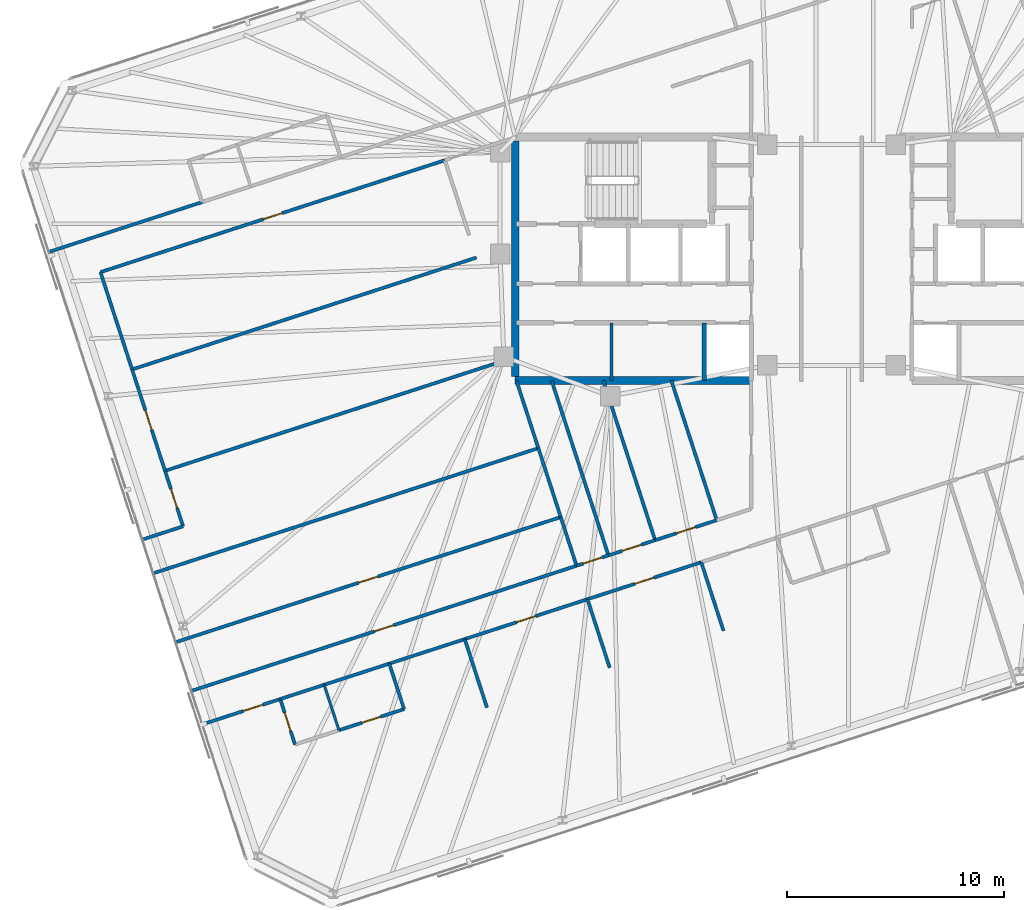
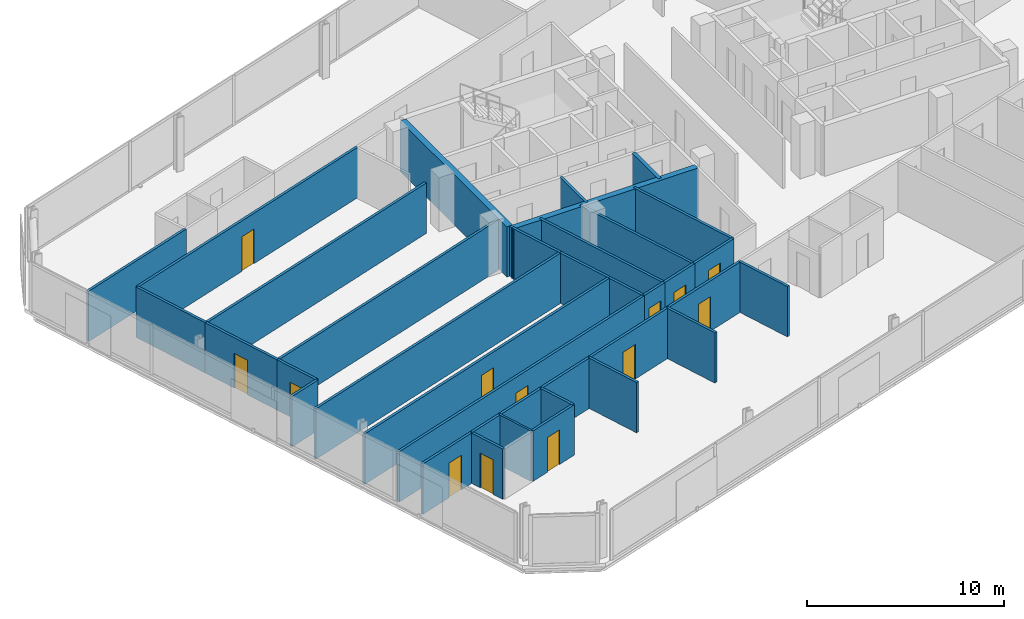
# One storey, part 13 of 19: 37 walls, 13 doors, 13 openings.
"""IFC4 building model written with IfcOpenShell, lengths in metres."""

from ifc_helpers import new_model, si_unit, direction, frame, frame_2d, origin, place, context, subcontext, project, spatial, rectangle, extrude, material, layer, layer_set, type_object, element, fill, save


model = new_model("IFC4")

# Units and contexts
model_context = context("Model", 3, precision=1e-05, world=origin(), true_north=direction((0.0, 1.0)))
body_context = subcontext(model_context, "Body", "Model", "MODEL_VIEW")
ifc_project = project(units=[si_unit("LENGTHUNIT", "METRE"), si_unit("AREAUNIT", "SQUARE_METRE"), si_unit("VOLUMEUNIT", "CUBIC_METRE"), si_unit("PLANEANGLEUNIT", "RADIAN"), si_unit("MASSUNIT", "GRAM", prefix="KILO")], contexts=[model_context])

# Site, building, storey
site_placement = place(None, origin())
site = spatial("IfcSite", under=ifc_project, at=site_placement, CompositionType="ELEMENT")
building_placement = place(site_placement, origin())
building = spatial("IfcBuilding", under=site, at=building_placement, Name="Menara Jurai Vektor", CompositionType="ELEMENT")
storey_placement = place(building_placement, frame((0.0, 0.0, 234.35009765625)))
storey = spatial("IfcBuildingStorey", under=building, at=storey_placement, Name="L62", CompositionType="ELEMENT", Elevation=234.35009765625)

# Walls
ifc_material_1 = material(Name="Gypsum Fireboard Partition", Category="gypsum")
ifc_layer_1 = layer(ifc_material_1, 0.14990234375)
ifc_layer_set_1 = layer_set([ifc_layer_1], Name="Gypsum Fireboard Partition")
wall_type_1 = type_object("IfcWallType", Name="INT-WALL-CORR-150", PredefinedType="PARTITIONING", material=ifc_layer_set_1)
wall_1_placement = place(storey_placement, frame((-10.1201171875, -5.60009765625, 0.0), z_axis=(0.0, 0.0, 1.0), x_axis=(0.0, 1.0, 0.0)))
element("IfcWall", 1, at=wall_1_placement, inside=storey, type_object=wall_type_1, Name="Interior Wall IW-150 L62", PredefinedType="PARTITIONING", context=body_context, shape_type="SweptSolid", body=[
    extrude(rectangle(XDim=2.650146484375, YDim=0.14990234375, at=frame_2d((1.3251953125, 0.0))), origin(), (0.0, 0.0, 1.0), 3.125),
])
wall_2_placement = place(storey_placement, frame((-36.01220703125, 0.314208984375, 0.0), z_axis=(0.0, 0.0, 1.0), x_axis=(0.951055595173, 0.309019829283, 0.0)))
element("IfcWall", 2, at=wall_2_placement, inside=storey, type_object=wall_type_1, Name="Interior Wall IW-150 L62", PredefinedType="PARTITIONING", context=body_context, shape_type="SweptSolid", body=[
    extrude(rectangle(XDim=7.4169921875, YDim=0.14990234375, at=frame_2d((3.70849609375, 0.0))), origin(), (0.0, 0.0, 1.0), 3.125),
])

# Wall, opening, door
wall_3_placement = place(storey_placement, frame((-28.949951171875, -21.42138671875, 0.0), z_axis=(0.0, 0.0, 1.0), x_axis=(0.951052151329, 0.309030428036, 0.0)))
wall_3 = element("IfcWall", 3, at=wall_3_placement, inside=storey, type_object=wall_type_1, Name="Interior Wall IW-150 L62", PredefinedType="PARTITIONING", context=body_context, shape_type="SweptSolid", body=[
    extrude(rectangle(XDim=3.77001953125, YDim=0.14990234375, at=frame_2d((1.885009765625, 0.0))), origin(), (0.0, 0.0, 1.0), 3.125),
])
opening_1_placement = place(wall_3_placement, frame((1.975341796875, 0.0, 0.0)))
opening_1 = element("IfcOpeningElement", 4, at=opening_1_placement, cuts=wall_3, Name="Opening D62-16", PredefinedType="OPENING", context=body_context, shape_type="SweptSolid", body=[
    extrude(rectangle(XDim=0.949951171875, YDim=2.14990234375, at=frame_2d((0.47509765625, 1.074951171875))), frame((0.0, 0.0849609375, 0.0), z_axis=(0.0, -1.0, 0.0), x_axis=(1.0, 0.0, 0.0)), (0.0, 0.0, 1.0), 0.169921875),
])
ifc_material_2 = material(Name="Solid Core Timber Fire Door", Category="wood")
door_type_1 = type_object("IfcDoorType", Name="DR-ENTRY-950", OperationType="NOTDEFINED", PredefinedType="DOOR", material=ifc_material_2)
door_1_placement = place(opening_1_placement, origin())
door_1 = element("IfcDoor", 5, at=door_1_placement, inside=storey, type_object=door_type_1, Name="Interior Door D62-16", OperationType="SINGLE_SWING_RIGHT", OverallHeight=2.14990234375, OverallWidth=0.949951171875, PredefinedType="DOOR", context=body_context, shape_type="SweptSolid", body=[
    extrude(rectangle(XDim=0.949951171875, YDim=2.14990234375, at=frame_2d((0.47509765625, 1.074951171875))), frame((0.0, 0.02490234375, 0.0), z_axis=(0.0, -1.0, 0.0), x_axis=(1.0, 0.0, 0.0)), (0.0, 0.0, 1.0), 0.050048828125),
])
fill(opening_1, door_1)

# Walls
wall_4_placement = place(storey_placement, frame((-20.3466796875, -18.6259765625, 0.0), z_axis=(0.0, 0.0, 1.0), x_axis=(0.951057168147, 0.309014988174, 0.0)))
element("IfcWall", 6, at=wall_4_placement, inside=storey, type_object=wall_type_1, Name="Interior Wall IW-150 L62", PredefinedType="PARTITIONING", context=body_context, shape_type="SweptSolid", body=[
    extrude(rectangle(XDim=3.650146484375, YDim=0.14990234375, at=frame_2d((1.8251953125, 0.0))), origin(), (0.0, 0.0, 1.0), 3.125),
])
wall_5_placement = place(storey_placement, frame((-25.364501953125, -20.25634765625, 0.0), z_axis=(0.0, 0.0, 1.0), x_axis=(0.951056007502, 0.309018560274, 0.0)))
element("IfcWall", 7, at=wall_5_placement, inside=storey, type_object=wall_type_1, Name="Interior Wall IW-150 L62", PredefinedType="PARTITIONING", context=body_context, shape_type="SweptSolid", body=[
    extrude(rectangle(XDim=2.1259765625, YDim=0.14990234375, at=frame_2d((1.06298828125, 0.0))), origin(), (0.0, 0.0, 1.0), 3.125),
])
wall_6_placement = place(storey_placement, frame((-23.342529296875, -19.599365234375, 0.0), z_axis=(0.0, 0.0, 1.0), x_axis=(0.951058557014, 0.309010713619, 0.0)))
element("IfcWall", 8, at=wall_6_placement, inside=storey, type_object=wall_type_1, Name="Interior Wall IW-150 L62", PredefinedType="PARTITIONING", context=body_context, shape_type="SweptSolid", body=[
    extrude(rectangle(XDim=3.14990234375, YDim=0.14990234375, at=frame_2d((1.574951171875, 0.0))), origin(), (0.0, 0.0, 1.0), 3.125),
])

# Wall, opening, door
wall_7_placement = place(storey_placement, frame((-16.875244140625, -17.498046875, 0.0), z_axis=(0.0, 0.0, 1.0), x_axis=(0.951057944303, 0.309012599384, 0.0)))
wall_7 = element("IfcWall", 9, at=wall_7_placement, inside=storey, type_object=wall_type_1, Name="Interior Wall IW-150 L62", PredefinedType="PARTITIONING", context=body_context, shape_type="SweptSolid", body=[
    extrude(rectangle(XDim=5.935791015625, YDim=0.14990234375, at=frame_2d((2.9677734375, 0.0))), origin(), (0.0, 0.0, 1.0), 3.125),
])
opening_2_placement = place(wall_7_placement, frame((2.508056640625, 0.0, 0.0)))
opening_2 = element("IfcOpeningElement", 10, at=opening_2_placement, cuts=wall_7, Name="Opening D62-25", PredefinedType="OPENING", context=body_context, shape_type="SweptSolid", body=[
    extrude(rectangle(XDim=0.919921875, YDim=2.14990234375, at=frame_2d((0.4599609375, 1.074951171875))), frame((0.0, 0.0849609375, 0.0), z_axis=(0.0, -1.0, 0.0), x_axis=(1.0, 0.0, 0.0)), (0.0, 0.0, 1.0), 0.169921875),
])
door_2_placement = place(opening_2_placement, origin())
door_2 = element("IfcDoor", 11, at=door_2_placement, inside=storey, type_object=door_type_1, Name="Interior Door D62-25", OperationType="SINGLE_SWING_LEFT", OverallHeight=2.14990234375, OverallWidth=0.919921875, PredefinedType="DOOR", context=body_context, shape_type="SweptSolid", body=[
    extrude(rectangle(XDim=0.919921875, YDim=2.14990234375, at=frame_2d((0.4599609375, 1.074951171875))), frame((0.0, 0.02490234375, 0.0), z_axis=(0.0, -1.0, 0.0), x_axis=(1.0, 0.0, 0.0)), (0.0, 0.0, 1.0), 0.050048828125),
])
fill(opening_2, door_2)

wall_8_placement = place(storey_placement, frame((-29.450439453125, -19.880615234375, 0.0), z_axis=(0.0, 0.0, 1.0), x_axis=(0.95105650271, 0.309017036186, 0.0)))
wall_8 = element("IfcWall", 12, at=wall_8_placement, inside=storey, type_object=wall_type_1, Name="Interior Wall IW-150 L62", PredefinedType="PARTITIONING", context=body_context, shape_type="SweptSolid", body=[
    extrude(rectangle(XDim=18.6318359375, YDim=0.14990234375, at=frame_2d((9.31591796875, 0.0))), origin(), (0.0, 0.0, 1.0), 3.125),
])
opening_3_placement = place(wall_8_placement, frame((8.85595703125, 0.0, 0.0)))
opening_3 = element("IfcOpeningElement", 13, at=opening_3_placement, cuts=wall_8, Name="Opening D62-26", PredefinedType="OPENING", context=body_context, shape_type="SweptSolid", body=[
    extrude(rectangle(XDim=0.919921875, YDim=2.14990234375, at=frame_2d((0.4599609375, 1.074951171875))), frame((0.0, 0.0849609375, 0.0), z_axis=(0.0, -1.0, 0.0), x_axis=(1.0, 0.0, 0.0)), (0.0, 0.0, 1.0), 0.169921875),
])
door_3_placement = place(opening_3_placement, origin())
door_3 = element("IfcDoor", 14, at=door_3_placement, inside=storey, type_object=door_type_1, Name="Interior Door D62-26", OperationType="SINGLE_SWING_RIGHT", OverallHeight=2.14990234375, OverallWidth=0.919921875, PredefinedType="DOOR", context=body_context, shape_type="SweptSolid", body=[
    extrude(rectangle(XDim=0.919921875, YDim=2.14990234375, at=frame_2d((0.4599609375, 1.074951171875))), frame((0.0, 0.02490234375, 0.0), z_axis=(0.0, -1.0, 0.0), x_axis=(1.0, 0.0, 0.0)), (0.0, 0.0, 1.0), 0.050048828125),
])
fill(opening_3, door_3)

# Wall
wall_9_placement = place(storey_placement, frame((-31.7119140625, -12.9208984375, 0.0), z_axis=(0.0, 0.0, 1.0), x_axis=(0.951054051148, 0.309024581215, 0.0)))
element("IfcWall", 15, at=wall_9_placement, inside=storey, type_object=wall_type_1, Name="Interior Wall IW-150 L62", PredefinedType="PARTITIONING", context=body_context, shape_type="SweptSolid", body=[
    extrude(rectangle(XDim=1.97509765625, YDim=0.14990234375, at=frame_2d((0.987548828125, 0.0))), origin(), (0.0, 0.0, 1.0), 3.125),
])

# Wall, opening, door
wall_10_placement = place(storey_placement, frame((-29.83349609375, -12.310546875, 0.0), z_axis=(0.0, 0.0, 1.0), x_axis=(-0.309044953986, 0.951047431213, 0.0)))
wall_10 = element("IfcWall", 16, at=wall_10_placement, inside=storey, type_object=wall_type_1, Name="Interior Wall IW-150 L62", PredefinedType="PARTITIONING", context=body_context, shape_type="SweptSolid", body=[
    extrude(rectangle(XDim=2.68505859375, YDim=0.14990234375, at=frame_2d((1.342529296875, 0.0))), origin(), (0.0, 0.0, 1.0), 3.125),
])
opening_4_placement = place(wall_10_placement, frame((0.882568359375, 0.0, 0.0)))
opening_4 = element("IfcOpeningElement", 17, at=opening_4_placement, cuts=wall_10, Name="Opening D62-28", PredefinedType="OPENING", context=body_context, shape_type="SweptSolid", body=[
    extrude(rectangle(XDim=0.919921875, YDim=2.14990234375, at=frame_2d((0.4599609375, 1.074951171875))), frame((0.0, 0.0849609375, 0.0), z_axis=(0.0, -1.0, 0.0), x_axis=(1.0, 0.0, 0.0)), (0.0, 0.0, 1.0), 0.169921875),
])
door_4_placement = place(opening_4_placement, origin())
door_4 = element("IfcDoor", 18, at=door_4_placement, inside=storey, type_object=door_type_1, Name="Interior Door D62-28", OperationType="SINGLE_SWING_RIGHT", OverallHeight=2.14990234375, OverallWidth=0.919921875, PredefinedType="DOOR", context=body_context, shape_type="SweptSolid", body=[
    extrude(rectangle(XDim=0.919921875, YDim=2.14990234375, at=frame_2d((0.4599609375, 1.074951171875))), frame((0.0, 0.02490234375, 0.0), z_axis=(0.0, -1.0, 0.0), x_axis=(1.0, 0.0, 0.0)), (0.0, 0.0, 1.0), 0.050048828125),
])
fill(opening_4, door_4)

wall_11_placement = place(storey_placement, frame((-30.663330078125, -9.7568359375, 0.0), z_axis=(0.0, 0.0, 1.0), x_axis=(-0.309019653166, 0.951055652397, 0.0)))
wall_11 = element("IfcWall", 19, at=wall_11_placement, inside=storey, type_object=wall_type_1, Name="Interior Wall IW-150 L62", PredefinedType="PARTITIONING", context=body_context, shape_type="SweptSolid", body=[
    extrude(rectangle(XDim=4.90380859375, YDim=0.14990234375, at=frame_2d((2.451904296875, 0.0))), origin(), (0.0, 0.0, 1.0), 3.125),
])
opening_5_placement = place(wall_11_placement, frame((1.991943359375, 0.0, 0.0)))
opening_5 = element("IfcOpeningElement", 20, at=opening_5_placement, cuts=wall_11, Name="Opening D62-29", PredefinedType="OPENING", context=body_context, shape_type="SweptSolid", body=[
    extrude(rectangle(XDim=0.919921875, YDim=2.14990234375, at=frame_2d((0.4599609375, 1.074951171875))), frame((0.0, 0.0849609375, 0.0), z_axis=(0.0, -1.0, 0.0), x_axis=(1.0, 0.0, 0.0)), (0.0, 0.0, 1.0), 0.169921875),
])
door_5_placement = place(opening_5_placement, origin())
door_5 = element("IfcDoor", 21, at=door_5_placement, inside=storey, type_object=door_type_1, Name="Interior Door D62-29", OperationType="SINGLE_SWING_LEFT", OverallHeight=2.14990234375, OverallWidth=0.919921875, PredefinedType="DOOR", context=body_context, shape_type="SweptSolid", body=[
    extrude(rectangle(XDim=0.919921875, YDim=2.14990234375, at=frame_2d((0.4599609375, 1.074951171875))), frame((0.0, 0.02490234375, 0.0), z_axis=(0.0, -1.0, 0.0), x_axis=(1.0, 0.0, 0.0)), (0.0, 0.0, 1.0), 0.050048828125),
])
fill(opening_5, door_5)

# Wall
wall_12_placement = place(storey_placement, frame((-32.1787109375, -5.093017578125, 0.0), z_axis=(0.0, 0.0, 1.0), x_axis=(-0.309014532869, 0.951057316083, 0.0)))
element("IfcWall", 22, at=wall_12_placement, inside=storey, type_object=wall_type_1, Name="Interior Wall IW-150 L62", PredefinedType="PARTITIONING", context=body_context, shape_type="SweptSolid", body=[
    extrude(rectangle(XDim=4.707275390625, YDim=0.14990234375, at=frame_2d((2.353515625, 0.0))), origin(), (0.0, 0.0, 1.0), 3.125),
])

# Wall, opening, door
wall_13_placement = place(storey_placement, frame((-33.63330078125, -0.6162109375, 0.0), z_axis=(0.0, 0.0, 1.0), x_axis=(0.951058192995, 0.309011833974, 0.0)))
wall_13 = element("IfcWall", 23, at=wall_13_placement, inside=storey, type_object=wall_type_1, Name="Interior Wall IW-150 L62", PredefinedType="PARTITIONING", context=body_context, shape_type="SweptSolid", body=[
    extrude(rectangle(XDim=16.656982421875, YDim=0.14990234375, at=frame_2d((8.32861328125, 0.0))), origin(), (0.0, 0.0, 1.0), 3.125),
])
opening_6_placement = place(wall_13_placement, frame((7.868408203125, 0.0, 0.0)))
opening_6 = element("IfcOpeningElement", 24, at=opening_6_placement, cuts=wall_13, Name="Opening D62-30", PredefinedType="OPENING", context=body_context, shape_type="SweptSolid", body=[
    extrude(rectangle(XDim=0.919921875, YDim=2.14990234375, at=frame_2d((0.4599609375, 1.074951171875))), frame((0.0, 0.0849609375, 0.0), z_axis=(0.0, -1.0, 0.0), x_axis=(1.0, 0.0, 0.0)), (0.0, 0.0, 1.0), 0.169921875),
])
door_6_placement = place(opening_6_placement, origin())
door_6 = element("IfcDoor", 25, at=door_6_placement, inside=storey, type_object=door_type_1, Name="Interior Door D62-30", OperationType="SINGLE_SWING_RIGHT", OverallHeight=2.14990234375, OverallWidth=0.919921875, PredefinedType="DOOR", context=body_context, shape_type="SweptSolid", body=[
    extrude(rectangle(XDim=0.919921875, YDim=2.14990234375, at=frame_2d((0.4599609375, 1.074951171875))), frame((0.0, 0.02490234375, 0.0), z_axis=(0.0, -1.0, 0.0), x_axis=(1.0, 0.0, 0.0)), (0.0, 0.0, 1.0), 0.050048828125),
])
fill(opening_6, door_6)

wall_14_placement = place(storey_placement, frame((-11.22998046875, -15.663818359375, 0.0), z_axis=(0.0, 0.0, 1.0), x_axis=(0.951055579382, 0.309019877882, 0.0)))
wall_14 = element("IfcWall", 26, at=wall_14_placement, inside=storey, type_object=wall_type_1, Name="Interior Wall IW-150 L62", PredefinedType="PARTITIONING", context=body_context, shape_type="SweptSolid", body=[
    extrude(rectangle(XDim=5.504150390625, YDim=0.14990234375, at=frame_2d((2.751953125, 0.0))), origin(), (0.0, 0.0, 1.0), 3.125),
])
opening_7_placement = place(wall_14_placement, frame((2.2919921875, 0.0, 0.0)))
opening_7 = element("IfcOpeningElement", 27, at=opening_7_placement, cuts=wall_14, Name="Opening D62-31", PredefinedType="OPENING", context=body_context, shape_type="SweptSolid", body=[
    extrude(rectangle(XDim=0.919921875, YDim=2.14990234375, at=frame_2d((0.4599609375, 1.074951171875))), frame((0.0, 0.0849609375, 0.0), z_axis=(0.0, -1.0, 0.0), x_axis=(1.0, 0.0, 0.0)), (0.0, 0.0, 1.0), 0.169921875),
])
door_7_placement = place(opening_7_placement, origin())
door_7 = element("IfcDoor", 28, at=door_7_placement, inside=storey, type_object=door_type_1, Name="Interior Door D62-31", OperationType="SINGLE_SWING_LEFT", OverallHeight=2.14990234375, OverallWidth=0.919921875, PredefinedType="DOOR", context=body_context, shape_type="SweptSolid", body=[
    extrude(rectangle(XDim=0.919921875, YDim=2.14990234375, at=frame_2d((0.4599609375, 1.074951171875))), frame((0.0, 0.02490234375, 0.0), z_axis=(0.0, -1.0, 0.0), x_axis=(1.0, 0.0, 0.0)), (0.0, 0.0, 1.0), 0.050048828125),
])
fill(opening_7, door_7)

wall_15_placement = place(storey_placement, frame((-11.73046875, -14.123046875, 0.0), z_axis=(0.0, 0.0, 1.0), x_axis=(0.951032904484, 0.309089654614, 0.0)))
wall_15 = element("IfcWall", 29, at=wall_15_placement, inside=storey, type_object=wall_type_1, Name="Interior Wall IW-150 L62", PredefinedType="PARTITIONING", context=body_context, shape_type="SweptSolid", body=[
    extrude(rectangle(XDim=1.541015625, YDim=0.14990234375, at=frame_2d((0.7705078125, 0.0))), origin(), (0.0, 0.0, 1.0), 3.125),
])
opening_8_placement = place(wall_15_placement, frame((0.310546875, 0.0, 0.0)))
opening_8 = element("IfcOpeningElement", 30, at=opening_8_placement, cuts=wall_15, Name="Opening D62-36", PredefinedType="OPENING", context=body_context, shape_type="SweptSolid", body=[
    extrude(rectangle(XDim=0.919921875, YDim=2.14990234375, at=frame_2d((0.4599609375, 1.074951171875))), frame((0.0, 0.0849609375, 0.0), z_axis=(0.0, -1.0, 0.0), x_axis=(1.0, 0.0, 0.0)), (0.0, 0.0, 1.0), 0.169921875),
])
door_8_placement = place(opening_8_placement, origin())
door_8 = element("IfcDoor", 31, at=door_8_placement, inside=storey, type_object=door_type_1, Name="Interior Door D62-36", OperationType="SINGLE_SWING_RIGHT", OverallHeight=2.14990234375, OverallWidth=0.919921875, PredefinedType="DOOR", context=body_context, shape_type="SweptSolid", body=[
    extrude(rectangle(XDim=0.919921875, YDim=2.14990234375, at=frame_2d((0.4599609375, 1.074951171875))), frame((0.0, 0.02490234375, 0.0), z_axis=(0.0, -1.0, 0.0), x_axis=(1.0, 0.0, 0.0)), (0.0, 0.0, 1.0), 0.050048828125),
])
fill(opening_8, door_8)

wall_16_placement = place(storey_placement, frame((-10.264892578125, -13.646728515625, 0.0), z_axis=(0.0, 0.0, 1.0), x_axis=(0.951065832698, 0.308988319964, 0.0)))
wall_16 = element("IfcWall", 32, at=wall_16_placement, inside=storey, type_object=wall_type_1, Name="Interior Wall IW-150 L62", PredefinedType="PARTITIONING", context=body_context, shape_type="SweptSolid", body=[
    extrude(rectangle(XDim=2.259033203125, YDim=0.14990234375, at=frame_2d((1.12939453125, 0.0))), origin(), (0.0, 0.0, 1.0), 3.125),
])
opening_9_placement = place(wall_16_placement, frame((0.66943359375, 0.0, 0.0)))
opening_9 = element("IfcOpeningElement", 33, at=opening_9_placement, cuts=wall_16, Name="Opening D62-37", PredefinedType="OPENING", context=body_context, shape_type="SweptSolid", body=[
    extrude(rectangle(XDim=0.919921875, YDim=2.14990234375, at=frame_2d((0.4599609375, 1.074951171875))), frame((0.0, 0.0849609375, 0.0), z_axis=(0.0, -1.0, 0.0), x_axis=(1.0, 0.0, 0.0)), (0.0, 0.0, 1.0), 0.169921875),
])
door_9_placement = place(opening_9_placement, origin())
door_9 = element("IfcDoor", 34, at=door_9_placement, inside=storey, type_object=door_type_1, Name="Interior Door D62-37", OperationType="SINGLE_SWING_LEFT", OverallHeight=2.14990234375, OverallWidth=0.919921875, PredefinedType="DOOR", context=body_context, shape_type="SweptSolid", body=[
    extrude(rectangle(XDim=0.919921875, YDim=2.14990234375, at=frame_2d((0.4599609375, 1.074951171875))), frame((0.0, 0.02490234375, 0.0), z_axis=(0.0, -1.0, 0.0), x_axis=(1.0, 0.0, 0.0)), (0.0, 0.0, 1.0), 0.050048828125),
])
fill(opening_9, door_9)

wall_17_placement = place(storey_placement, frame((-8.116455078125, -12.94873046875, 0.0), z_axis=(0.0, 0.0, 1.0), x_axis=(0.95107320803, 0.308965617775, 0.0)))
wall_17 = element("IfcWall", 35, at=wall_17_placement, inside=storey, type_object=wall_type_1, Name="Interior Wall IW-150 L62", PredefinedType="PARTITIONING", context=body_context, shape_type="SweptSolid", body=[
    extrude(rectangle(XDim=2.97900390625, YDim=0.14990234375, at=frame_2d((1.489501953125, 0.0))), origin(), (0.0, 0.0, 1.0), 3.125),
])
opening_10_placement = place(wall_17_placement, frame((1.029541015625, 0.0, 0.0)))
opening_10 = element("IfcOpeningElement", 36, at=opening_10_placement, cuts=wall_17, Name="Opening D62-38", PredefinedType="OPENING", context=body_context, shape_type="SweptSolid", body=[
    extrude(rectangle(XDim=0.919921875, YDim=2.14990234375, at=frame_2d((0.4599609375, 1.074951171875))), frame((0.0, 0.0849609375, 0.0), z_axis=(0.0, -1.0, 0.0), x_axis=(1.0, 0.0, 0.0)), (0.0, 0.0, 1.0), 0.169921875),
])
door_10_placement = place(opening_10_placement, origin())
door_10 = element("IfcDoor", 37, at=door_10_placement, inside=storey, type_object=door_type_1, Name="Interior Door D62-38", OperationType="SINGLE_SWING_RIGHT", OverallHeight=2.14990234375, OverallWidth=0.919921875, PredefinedType="DOOR", context=body_context, shape_type="SweptSolid", body=[
    extrude(rectangle(XDim=0.919921875, YDim=2.14990234375, at=frame_2d((0.4599609375, 1.074951171875))), frame((0.0, 0.02490234375, 0.0), z_axis=(0.0, -1.0, 0.0), x_axis=(1.0, 0.0, 0.0)), (0.0, 0.0, 1.0), 0.050048828125),
])
fill(opening_10, door_10)

wall_18_placement = place(storey_placement, frame((-24.6845703125, -22.3486328125, 0.0), z_axis=(0.0, 0.0, 1.0), x_axis=(-0.309060979314, 0.951042223598, 0.0)))
wall_18 = element("IfcWall", 38, at=wall_18_placement, inside=storey, type_object=wall_type_1, Name="Interior Wall IW-150 L62", PredefinedType="PARTITIONING", context=body_context, shape_type="SweptSolid", body=[
    extrude(rectangle(XDim=2.199951171875, YDim=0.14990234375, at=frame_2d((1.10009765625, 0.0))), origin(), (0.0, 0.0, 1.0), 3.125),
])
opening_11_placement = place(wall_18_placement, frame((0.659912109375, 0.0, 0.0)))
opening_11 = element("IfcOpeningElement", 39, at=opening_11_placement, cuts=wall_18, Name="Opening D62-17", PredefinedType="OPENING", context=body_context, shape_type="SweptSolid", body=[
    extrude(rectangle(XDim=0.8798828125, YDim=2.14990234375, at=frame_2d((0.43994140625, 1.074951171875))), frame((0.0, 0.0849609375, 0.0), z_axis=(0.0, -1.0, 0.0), x_axis=(1.0, 0.0, 0.0)), (0.0, 0.0, 1.0), 0.169921875),
])
ifc_material_3 = material(Name="Moisture-Resistant Timber Door", Category="wood")
door_type_2 = type_object("IfcDoorType", Name="DR-BATH-880", OperationType="NOTDEFINED", PredefinedType="DOOR", material=ifc_material_3)
door_11_placement = place(opening_11_placement, origin())
door_11 = element("IfcDoor", 40, at=door_11_placement, inside=storey, type_object=door_type_2, Name="Interior Door D62-17", OperationType="SINGLE_SWING_LEFT", OverallHeight=2.14990234375, OverallWidth=0.8798828125, PredefinedType="DOOR", context=body_context, shape_type="SweptSolid", body=[
    extrude(rectangle(XDim=0.8798828125, YDim=2.14990234375, at=frame_2d((0.43994140625, 1.074951171875))), frame((0.0, 0.02490234375, 0.0), z_axis=(0.0, -1.0, 0.0), x_axis=(1.0, 0.0, 0.0)), (0.0, 0.0, 1.0), 0.050048828125),
])
fill(opening_11, door_11)

wall_19_placement = place(storey_placement, frame((-22.66259765625, -21.691650390625, 0.0), z_axis=(0.0, 0.0, 1.0), x_axis=(0.951058557014, 0.309010713619, 0.0)))
wall_19 = element("IfcWall", 41, at=wall_19_placement, inside=storey, type_object=wall_type_1, Name="Interior Wall IW-150 L62", PredefinedType="PARTITIONING", context=body_context, shape_type="SweptSolid", body=[
    extrude(rectangle(XDim=3.14990234375, YDim=0.14990234375, at=frame_2d((1.574951171875, 0.0))), origin(), (0.0, 0.0, 1.0), 3.125),
])
opening_12_placement = place(wall_19_placement, frame((1.125, 0.0, 0.0)))
opening_12 = element("IfcOpeningElement", 42, at=opening_12_placement, cuts=wall_19, Name="Opening D62-18", PredefinedType="OPENING", context=body_context, shape_type="SweptSolid", body=[
    extrude(rectangle(XDim=0.89990234375, YDim=2.14990234375, at=frame_2d((0.449951171875, 1.074951171875))), frame((0.0, 0.0849609375, 0.0), z_axis=(0.0, -1.0, 0.0), x_axis=(1.0, 0.0, 0.0)), (0.0, 0.0, 1.0), 0.169921875),
])
ifc_material_4 = material(Name="Acoustic Timber Interior Door", Category="wood")
door_type_3 = type_object("IfcDoorType", Name="DR-ROOM-900", OperationType="NOTDEFINED", PredefinedType="DOOR", material=ifc_material_4)
door_12_placement = place(opening_12_placement, origin())
door_12 = element("IfcDoor", 43, at=door_12_placement, inside=storey, type_object=door_type_3, Name="Interior Door D62-18", OperationType="SINGLE_SWING_RIGHT", OverallHeight=2.14990234375, OverallWidth=0.89990234375, PredefinedType="DOOR", context=body_context, shape_type="SweptSolid", body=[
    extrude(rectangle(XDim=0.89990234375, YDim=2.14990234375, at=frame_2d((0.449951171875, 1.074951171875))), frame((0.0, 0.02490234375, 0.0), z_axis=(0.0, -1.0, 0.0), x_axis=(1.0, 0.0, 0.0)), (0.0, 0.0, 1.0), 0.050048828125),
])
fill(opening_12, door_12)

# Walls
wall_20_placement = place(storey_placement, frame((-19.666748046875, -20.71826171875, 0.0), z_axis=(0.0, 0.0, 1.0), x_axis=(-0.309060979314, 0.951042223598, 0.0)))
element("IfcWall", 44, at=wall_20_placement, inside=storey, type_object=wall_type_1, Name="Interior Wall IW-150 L62", PredefinedType="PARTITIONING", context=body_context, shape_type="SweptSolid", body=[
    extrude(rectangle(XDim=2.199951171875, YDim=0.14990234375, at=frame_2d((1.10009765625, 0.0))), origin(), (0.0, 0.0, 1.0), 3.125),
])
for number, where, z_axis, x_axis, name in (
    (45, (-15.851806640625, -20.64794921875, 0.0), (0.0, 0.0, 1.0), (-0.309009398695, 0.951058984248, 0.0), "Interior Wall IW-150 L62"),
    (46, (-4.9716796875, -17.11279296875, 0.0), (0.0, 0.0, 1.0), (-0.309009398695, 0.951058984248, 0.0), "Interior Wall IW-150 L62"),
    (47, (-10.206298828125, -18.813720703125, 0.0), (0.0, 0.0, 1.0), (-0.309076071769, 0.951037318857, 0.0), "Interior Wall IW-150 L62"),
):
    element("IfcWall", number, at=place(storey_placement, frame(where, z_axis=z_axis, x_axis=x_axis)), inside=storey, type_object=wall_type_1, Name=name, PredefinedType="PARTITIONING", context=body_context, shape_type="SweptSolid", body=[
        extrude(rectangle(XDim=3.31201171875, YDim=0.14990234375, at=frame_2d((1.656005859375, 0.0))), origin(), (0.0, 0.0, 1.0), 3.125),
    ])

# Wall, opening, door
wall_21_placement = place(storey_placement, frame((-30.177978515625, -17.641845703125, 0.0), z_axis=(0.0, 0.0, 1.0), x_axis=(0.95105650271, 0.309017036186, 0.0)))
wall_21 = element("IfcWall", 48, at=wall_21_placement, inside=storey, type_object=wall_type_1, Name="Interior Wall IW-150 L62", PredefinedType="PARTITIONING", context=body_context, shape_type="SweptSolid", body=[
    extrude(rectangle(XDim=18.6318359375, YDim=0.14990234375, at=frame_2d((9.31591796875, 0.0))), origin(), (0.0, 0.0, 1.0), 3.125),
])
opening_13_placement = place(wall_21_placement, frame((8.85595703125, 0.0, 0.0)))
opening_13 = element("IfcOpeningElement", 49, at=opening_13_placement, cuts=wall_21, Name="Opening D62-27", PredefinedType="OPENING", context=body_context, shape_type="SweptSolid", body=[
    extrude(rectangle(XDim=0.919921875, YDim=2.14990234375, at=frame_2d((0.4599609375, 1.074951171875))), frame((0.0, 0.0849609375, 0.0), z_axis=(0.0, -1.0, 0.0), x_axis=(1.0, 0.0, 0.0)), (0.0, 0.0, 1.0), 0.169921875),
])
door_13_placement = place(opening_13_placement, origin())
door_13 = element("IfcDoor", 50, at=door_13_placement, inside=storey, type_object=door_type_1, Name="Interior Door D62-27", OperationType="SINGLE_SWING_LEFT", OverallHeight=2.14990234375, OverallWidth=0.919921875, PredefinedType="DOOR", context=body_context, shape_type="SweptSolid", body=[
    extrude(rectangle(XDim=0.919921875, YDim=2.14990234375, at=frame_2d((0.4599609375, 1.074951171875))), frame((0.0, 0.02490234375, 0.0), z_axis=(0.0, -1.0, 0.0), x_axis=(1.0, 0.0, 0.0)), (0.0, 0.0, 1.0), 0.050048828125),
])
fill(opening_13, door_13)

# Walls
wall_22_placement = place(storey_placement, frame((-11.73046875, -14.123046875, 0.0), z_axis=(0.0, 0.0, 1.0), x_axis=(-0.309062621189, 0.951041690035, 0.0)))
element("IfcWall", 51, at=wall_22_placement, inside=storey, type_object=wall_type_1, Name="Interior Wall IW-150 L62", PredefinedType="PARTITIONING", context=body_context, shape_type="SweptSolid", body=[
    extrude(rectangle(XDim=2.35400390625, YDim=0.14990234375, at=frame_2d((1.177001953125, 0.0))), origin(), (0.0, 0.0, 1.0), 3.125),
])
wall_23_placement = place(storey_placement, frame((-31.208251953125, -14.470947265625, 0.0), z_axis=(0.0, 0.0, 1.0), x_axis=(0.951057753948, 0.309013185244, 0.0)))
element("IfcWall", 52, at=wall_23_placement, inside=storey, type_object=wall_type_1, Name="Interior Wall IW-150 L62", PredefinedType="PARTITIONING", context=body_context, shape_type="SweptSolid", body=[
    extrude(rectangle(XDim=18.632080078125, YDim=0.14990234375, at=frame_2d((9.31591796875, 0.0))), origin(), (0.0, 0.0, 1.0), 3.125),
])
wall_24_placement = place(storey_placement, frame((-12.4580078125, -11.88427734375, 0.0), z_axis=(0.0, 0.0, 1.0), x_axis=(-0.308946982245, 0.951079261766, 0.0)))
element("IfcWall", 53, at=wall_24_placement, inside=storey, type_object=wall_type_1, Name="Interior Wall IW-150 L62", PredefinedType="PARTITIONING", context=body_context, shape_type="SweptSolid", body=[
    extrude(rectangle(XDim=3.333984375, YDim=0.14990234375, at=frame_2d((1.6669921875, 0.0))), origin(), (0.0, 0.0, 1.0), 3.125),
])
wall_25_placement = place(storey_placement, frame((-30.663330078125, -9.7568359375, 0.0), z_axis=(0.0, 0.0, 1.0), x_axis=(0.951058192995, 0.309011833974, 0.0)))
element("IfcWall", 54, at=wall_25_placement, inside=storey, type_object=wall_type_1, Name="Interior Wall IW-150 L62", PredefinedType="PARTITIONING", context=body_context, shape_type="SweptSolid", body=[
    extrude(rectangle(XDim=16.656982421875, YDim=0.14990234375, at=frame_2d((8.32861328125, 0.0))), origin(), (0.0, 0.0, 1.0), 3.125),
])
wall_26_placement = place(storey_placement, frame((-13.488037109375, -8.71337890625, 0.0), z_axis=(0.0, 0.0, 1.0), x_axis=(-0.309082700143, 0.951035164687, 0.0)))
element("IfcWall", 55, at=wall_26_placement, inside=storey, type_object=wall_type_1, Name="Interior Wall IW-150 L62", PredefinedType="PARTITIONING", context=body_context, shape_type="SweptSolid", body=[
    extrude(rectangle(XDim=3.274169921875, YDim=0.14990234375, at=frame_2d((1.63720703125, 0.0))), origin(), (0.0, 0.0, 1.0), 3.125),
])
wall_27_placement = place(storey_placement, frame((-32.1787109375, -5.093017578125, 0.0), z_axis=(0.0, 0.0, 1.0), x_axis=(0.951053885426, 0.309025091239, 0.0)))
element("IfcWall", 56, at=wall_27_placement, inside=storey, type_object=wall_type_1, Name="Interior Wall IW-150 L62", PredefinedType="PARTITIONING", context=body_context, shape_type="SweptSolid", body=[
    extrude(rectangle(XDim=16.656982421875, YDim=0.14990234375, at=frame_2d((8.32861328125, 0.0))), origin(), (0.0, 0.0, 1.0), 3.125),
])
wall_28_placement = place(storey_placement, frame((-10.264892578125, -13.646728515625, 0.0), z_axis=(0.0, 0.0, 1.0), x_axis=(-0.309007776314, 0.951059511375, 0.0)))
element("IfcWall", 57, at=wall_28_placement, inside=storey, type_object=wall_type_1, Name="Interior Wall IW-150 L62", PredefinedType="PARTITIONING", context=body_context, shape_type="SweptSolid", body=[
    extrude(rectangle(XDim=8.4609375, YDim=0.14990234375, at=frame_2d((4.23046875, 0.0))), origin(), (0.0, 0.0, 1.0), 3.125),
])
wall_29_placement = place(storey_placement, frame((-8.116455078125, -12.94873046875, 0.0), z_axis=(0.0, 0.0, 1.0), x_axis=(-0.309005340707, 0.951060302722, 0.0)))
element("IfcWall", 58, at=wall_29_placement, inside=storey, type_object=wall_type_1, Name="Interior Wall IW-150 L62", PredefinedType="PARTITIONING", context=body_context, shape_type="SweptSolid", body=[
    extrude(rectangle(XDim=7.72705078125, YDim=0.14990234375, at=frame_2d((3.863525390625, 0.0))), origin(), (0.0, 0.0, 1.0), 3.125),
])
wall_30_placement = place(storey_placement, frame((-5.283203125, -12.0283203125, 0.0), z_axis=(0.0, 0.0, 1.0), x_axis=(-0.30901256406, 0.95105795578, 0.0)))
element("IfcWall", 59, at=wall_30_placement, inside=storey, type_object=wall_type_1, Name="Interior Wall IW-150 L62", PredefinedType="PARTITIONING", context=body_context, shape_type="SweptSolid", body=[
    extrude(rectangle(XDim=6.759033203125, YDim=0.14990234375, at=frame_2d((3.37939453125, 0.0))), origin(), (0.0, 0.0, 1.0), 3.125),
])
ifc_material_5 = material(Name="Gypsum Acoustic Stud Partition", Category="gypsum")
ifc_layer_2 = layer(ifc_material_5, 0.1201171875)
ifc_layer_set_2 = layer_set([ifc_layer_2], Name="Gypsum Acoustic Stud Partition")
wall_type_2 = type_object("IfcWallType", Name="INT-WALL-PART-120", PredefinedType="PARTITIONING", material=ifc_layer_set_2)
wall_31_placement = place(storey_placement, frame((-22.66259765625, -21.691650390625, 0.0), z_axis=(0.0, 0.0, 1.0), x_axis=(-0.309060979314, 0.951042223598, 0.0)))
element("IfcWall", 60, at=wall_31_placement, inside=storey, type_object=wall_type_2, Name="Interior Wall IW-120 L62", PredefinedType="PARTITIONING", context=body_context, shape_type="SweptSolid", body=[
    extrude(rectangle(XDim=2.199951171875, YDim=0.1201171875, at=frame_2d((1.10009765625, 0.0))), origin(), (0.0, 0.0, 1.0), 3.125),
])
ifc_material_6 = material(Name="Concrete C40/50", Category="concrete")
ifc_layer_3 = layer(ifc_material_6, 0.199951171875)
ifc_layer_set_3 = layer_set([ifc_layer_3], Name="Concrete C40/50")
wall_type_3 = type_object("IfcWallType", Name="INT-WALL-SHAFT-200", PredefinedType="STANDARD", material=ifc_layer_set_3)
wall_32_placement = place(storey_placement, frame((-5.860107421875, -5.60009765625, 0.0), z_axis=(0.0, 0.0, 1.0), x_axis=(0.0, 1.0, 0.0)))
element("IfcWall", 61, at=wall_32_placement, inside=storey, type_object=wall_type_3, Name="Interior Wall IW-200 L62", PredefinedType="STANDARD", context=body_context, shape_type="SweptSolid", body=[
    extrude(rectangle(XDim=2.650146484375, YDim=0.199951171875, at=frame_2d((1.3251953125, 0.0))), origin(), (0.0, 0.0, 1.0), 3.125),
])
ifc_material_7 = material(Name="Concrete C50/60", Category="concrete")
ifc_layer_4 = layer(ifc_material_7, 0.35009765625)
ifc_layer_set_4 = layer_set([ifc_layer_4], Name="Concrete C50/60")
wall_type_4 = type_object("IfcWallType", Name="STR-WALL-CORE350", PredefinedType="SHEAR", material=ifc_layer_set_4)
wall_33_placement = place(storey_placement, frame((-14.56005859375, -5.60009765625, 0.0), z_axis=(0.0, 0.0, 1.0), x_axis=(1.0, 0.0, 0.0)))
element("IfcWall", 62, at=wall_33_placement, inside=storey, type_object=wall_type_4, Name="Core Shear Wall CW-W-S L62", PredefinedType="SHEAR", context=body_context, shape_type="SweptSolid", body=[
    extrude(rectangle(XDim=10.860107421875, YDim=0.35009765625, at=frame_2d((5.43017578125, 0.0))), origin(), (0.0, 0.0, 1.0), 3.125),
])
wall_34_placement = place(storey_placement, frame((-14.56005859375, -5.425048828125, 0.0), z_axis=(0.0, 0.0, 1.0), x_axis=(0.0, 1.0, 0.0)))
element("IfcWall", 63, at=wall_34_placement, inside=storey, type_object=wall_type_4, Name="Core Shear Wall CW-W-W L62", PredefinedType="SHEAR", context=body_context, shape_type="SweptSolid", body=[
    extrude(rectangle(XDim=10.85009765625, YDim=0.35009765625, at=frame_2d((5.425048828125, 0.0))), origin(), (0.0, 0.0, 1.0), 3.125),
])

save(model, "model.ifc")
